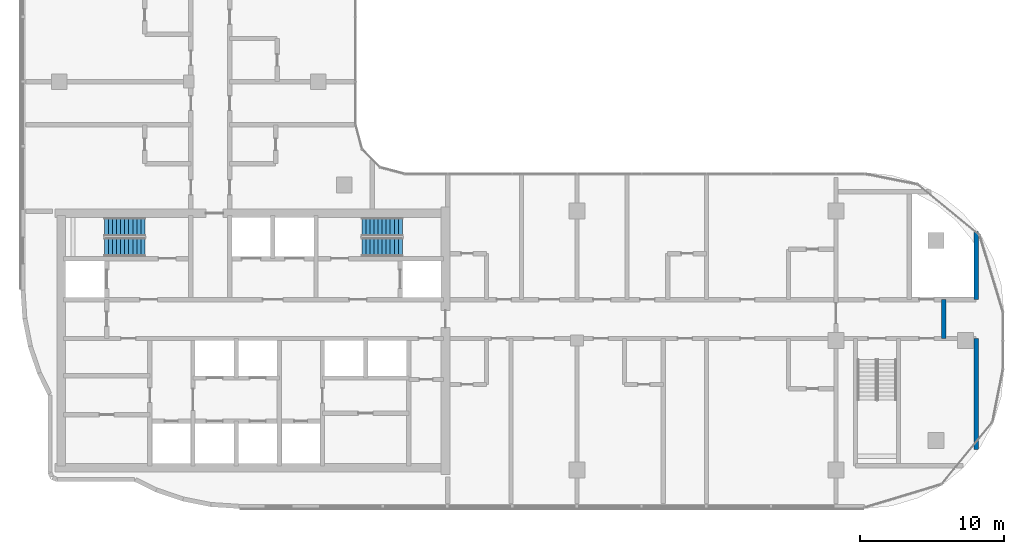
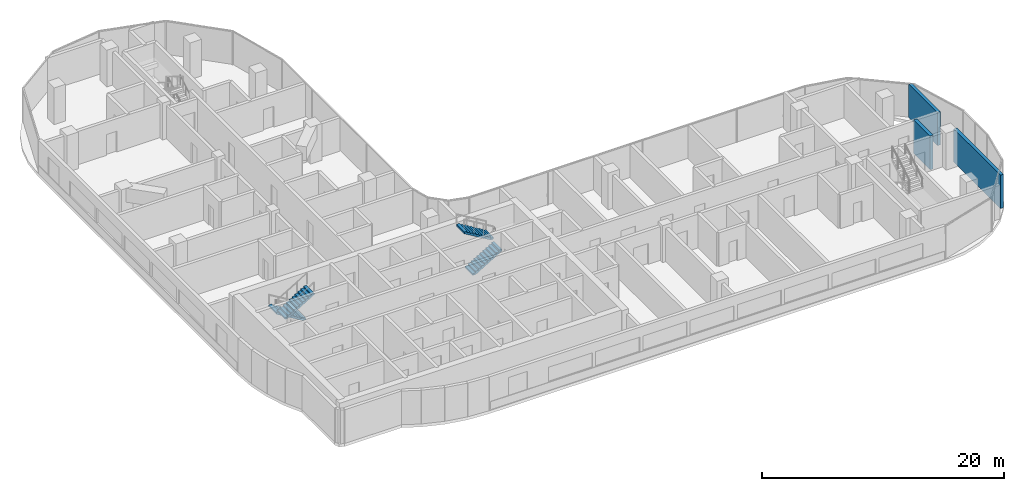
# One storey, part 15 of 23: 4 stair flights, 3 walls, 2 elements without a shape of their own.
"""IFC4 building model written with IfcOpenShell, lengths in metres."""

from ifc_helpers import new_model, si_unit, direction, frame, frame_2d, origin, place, context, subcontext, project, spatial, rectangle, extrude, triangles, source, transform, mapped, material, layer, layer_set, type_object, element, aggregate, save


model = new_model("IFC4")

# Units and contexts
model_context = context("Model", 3, precision=1e-05, world=origin(), true_north=direction((0.0, 1.0)))
body_context = subcontext(model_context, "Body", "Model", "MODEL_VIEW")
ifc_project = project(units=[si_unit("LENGTHUNIT", "METRE"), si_unit("AREAUNIT", "SQUARE_METRE"), si_unit("VOLUMEUNIT", "CUBIC_METRE"), si_unit("PLANEANGLEUNIT", "RADIAN"), si_unit("MASSUNIT", "GRAM", prefix="KILO")], contexts=[model_context])

# Site, building, storey
site_placement = place(None, origin())
site = spatial("IfcSite", under=ifc_project, at=site_placement, CompositionType="ELEMENT")
building_placement = place(site_placement, origin())
building = spatial("IfcBuilding", under=site, at=building_placement, Name="Ogive Portal Towers", CompositionType="ELEMENT")
storey_placement = place(building_placement, frame((0.0, 0.0, 186.60009765625)))
storey = spatial("IfcBuildingStorey", under=building, at=storey_placement, Name="L46", CompositionType="ELEMENT", Elevation=186.60009765625)

# Walls
ifc_material_1 = material(Name="Gypsum board partition on steel studs", Category="steel")
ifc_layer_1 = layer(ifc_material_1, 0.300048828125)
ifc_layer_set_1 = layer_set([ifc_layer_1], Name="WT-PART-300-EI 120")
wall_type_1 = type_object("IfcWallType", Name="WT-PART-300-EI 120", PredefinedType="PARTITIONING", material=ifc_layer_set_1)
wall_1_placement = place(storey_placement, frame((93.0, 30.64990234375, 0.0), z_axis=(0.0, 0.0, 1.0), x_axis=(0.0, 1.0, 0.0)))
element("IfcWall", 1, at=wall_1_placement, inside=storey, type_object=wall_type_1, Name="Wall L46:w066", PredefinedType="PARTITIONING", context=body_context, shape_type="SweptSolid", body=[
    extrude(rectangle(XDim=2.7001953125, YDim=0.300048828125, at=frame_2d((1.35009765625, 0.0))), origin(), (0.0, 0.0, 1.0), 3.39990234375),
])
ifc_layer_2 = layer(ifc_material_1, 0.300048828125)
ifc_layer_set_2 = layer_set([ifc_layer_2], Name="WT-PART-300-EI 60")
wall_type_2 = type_object("IfcWallType", Name="WT-PART-300-EI 60", PredefinedType="PARTITIONING", material=ifc_layer_set_2)
wall_2_placement = place(storey_placement, frame((95.25, 22.926025390625, 0.0), z_axis=(0.0, 0.0, 1.0), x_axis=(0.0, 1.0, 0.0)))
element("IfcWall", 2, at=wall_2_placement, inside=storey, type_object=wall_type_2, Name="Wall L46:w067", PredefinedType="PARTITIONING", context=body_context, shape_type="SweptSolid", body=[
    extrude(rectangle(XDim=7.723876953125, YDim=0.300048828125, at=frame_2d((3.86181640625, 0.0))), origin(), (0.0, 0.0, 1.0), 3.349853515625),
])
wall_3_placement = place(storey_placement, frame((95.25, 33.35009765625, 0.0), z_axis=(0.0, 0.0, 1.0), x_axis=(0.0, 1.0, 0.0)))
element("IfcWall", 3, at=wall_3_placement, inside=storey, type_object=wall_type_2, Name="Wall L46:w068", PredefinedType="PARTITIONING", context=body_context, shape_type="SweptSolid", body=[
    extrude(rectangle(XDim=4.723876953125, YDim=0.300048828125, at=frame_2d((2.36181640625, 0.0))), origin(), (0.0, 0.0, 1.0), 3.349853515625),
])

# Stair, stair flights
ifc_material_2 = material(Name="Concrete C40/50", Category="concrete")
stair_type = type_object("IfcStairType", Name="INT-STAIR", PredefinedType="HALF_TURN_STAIR", material=ifc_material_2)
stair_1_placement = place(storey_placement, origin())
stair_1 = element("IfcStair", 4, at=stair_1_placement, inside=storey, type_object=stair_type, Name="L46 Exit Stair ST-A1", PredefinedType="HALF_TURN_STAIR")
stair_flight_type = type_object("IfcStairFlightType", Name="INT-FLIGHT", PredefinedType="STRAIGHT", material=ifc_material_2)
shared_shape = source(origin(), body_context, "Body", "Tessellation", [
    triangles([(0.0, -0.650146484375, 0.0), (0.0, -0.376220703125, 0.0), (0.0, -0.192626953125, 0.0), (0.0, -0.081298828125, 0.0), (0.0, -0.024169921875, 0.0), (0.0, -0.003173828125, 0.0), (0.0, 0.0, 0.0), (0.0, 0.0029296875, 0.0), (0.0, 0.02392578125, 0.0), (0.0, 0.0810546875, 0.0), (0.0, 0.1923828125, 0.0), (0.0, 0.3759765625, 0.0), (0.0, 0.64990234375, 0.0), (0.0, -0.650146484375, 0.168212890625), (0.0, -0.376220703125, 0.168212890625), (0.0, -0.192626953125, 0.168212890625), (0.0, -0.081298828125, 0.168212890625), (0.0, -0.024169921875, 0.168212890625), (0.0, -0.003173828125, 0.168212890625), (0.0, 0.0, 0.168212890625), (0.0, 0.0029296875, 0.168212890625), (0.0, 0.02392578125, 0.168212890625), (0.0, 0.0810546875, 0.168212890625), (0.0, 0.1923828125, 0.168212890625), (0.0, 0.3759765625, 0.168212890625), (0.0, 0.64990234375, 0.168212890625), (0.280029296875, -0.650146484375, 0.168212890625), (0.280029296875, -0.376220703125, 0.168212890625), (0.280029296875, -0.192626953125, 0.168212890625), (0.280029296875, -0.081298828125, 0.168212890625), (0.280029296875, -0.024169921875, 0.168212890625), (0.280029296875, -0.003173828125, 0.168212890625), (0.280029296875, 0.0, 0.168212890625), (0.280029296875, 0.0029296875, 0.168212890625), (0.280029296875, 0.02392578125, 0.168212890625), (0.280029296875, 0.0810546875, 0.168212890625), (0.280029296875, 0.1923828125, 0.168212890625), (0.280029296875, 0.3759765625, 0.168212890625), (0.280029296875, 0.64990234375, 0.168212890625), (0.280029296875, -0.650146484375, 0.33642578125), (0.280029296875, -0.376220703125, 0.33642578125), (0.280029296875, -0.192626953125, 0.33642578125), (0.280029296875, -0.081298828125, 0.33642578125), (0.280029296875, -0.024169921875, 0.33642578125), (0.280029296875, -0.003173828125, 0.33642578125), (0.280029296875, 0.0, 0.33642578125), (0.280029296875, 0.0029296875, 0.33642578125), (0.280029296875, 0.02392578125, 0.33642578125), (0.280029296875, 0.0810546875, 0.33642578125), (0.280029296875, 0.1923828125, 0.33642578125), (0.280029296875, 0.3759765625, 0.33642578125), (0.280029296875, 0.64990234375, 0.33642578125), (0.56005859375, -0.650146484375, 0.33642578125), (0.56005859375, -0.376220703125, 0.33642578125), (0.56005859375, -0.192626953125, 0.33642578125), (0.56005859375, -0.081298828125, 0.33642578125), (0.56005859375, -0.024169921875, 0.33642578125), (0.56005859375, -0.003173828125, 0.33642578125), (0.56005859375, 0.0, 0.33642578125), (0.56005859375, 0.0029296875, 0.33642578125), (0.56005859375, 0.02392578125, 0.33642578125), (0.56005859375, 0.0810546875, 0.33642578125), (0.56005859375, 0.1923828125, 0.33642578125), (0.56005859375, 0.3759765625, 0.33642578125), (0.56005859375, 0.64990234375, 0.33642578125), (0.56005859375, -0.650146484375, 0.504638671875), (0.56005859375, -0.376220703125, 0.504638671875), (0.56005859375, -0.192626953125, 0.504638671875), (0.56005859375, -0.081298828125, 0.504638671875), (0.56005859375, -0.024169921875, 0.504638671875), (0.56005859375, -0.003173828125, 0.504638671875), (0.56005859375, 0.0, 0.504638671875), (0.56005859375, 0.0029296875, 0.504638671875), (0.56005859375, 0.02392578125, 0.504638671875), (0.56005859375, 0.0810546875, 0.504638671875), (0.56005859375, 0.1923828125, 0.504638671875), (0.56005859375, 0.3759765625, 0.504638671875), (0.56005859375, 0.64990234375, 0.504638671875), (0.840087890625, -0.650146484375, 0.504638671875), (0.840087890625, -0.376220703125, 0.504638671875), (0.840087890625, -0.192626953125, 0.504638671875), (0.840087890625, -0.081298828125, 0.504638671875), (0.840087890625, -0.024169921875, 0.504638671875), (0.840087890625, -0.003173828125, 0.504638671875), (0.840087890625, 0.0, 0.504638671875), (0.840087890625, 0.0029296875, 0.504638671875), (0.840087890625, 0.02392578125, 0.504638671875), (0.840087890625, 0.0810546875, 0.504638671875), (0.840087890625, 0.1923828125, 0.504638671875), (0.840087890625, 0.3759765625, 0.504638671875), (0.840087890625, 0.64990234375, 0.504638671875), (0.840087890625, -0.650146484375, 0.672607421875), (0.840087890625, -0.376220703125, 0.672607421875), (0.840087890625, -0.192626953125, 0.672607421875), (0.840087890625, -0.081298828125, 0.672607421875), (0.840087890625, -0.024169921875, 0.672607421875), (0.840087890625, -0.003173828125, 0.672607421875), (0.840087890625, 0.0, 0.672607421875), (0.840087890625, 0.0029296875, 0.672607421875), (0.840087890625, 0.02392578125, 0.672607421875), (0.840087890625, 0.0810546875, 0.672607421875), (0.840087890625, 0.1923828125, 0.672607421875), (0.840087890625, 0.3759765625, 0.672607421875), (0.840087890625, 0.64990234375, 0.672607421875), (1.1201171875, -0.650146484375, 0.672607421875), (1.1201171875, -0.376220703125, 0.672607421875), (1.1201171875, -0.192626953125, 0.672607421875), (1.1201171875, -0.081298828125, 0.672607421875), (1.1201171875, -0.024169921875, 0.672607421875), (1.1201171875, -0.003173828125, 0.672607421875), (1.1201171875, 0.0, 0.672607421875), (1.1201171875, 0.0029296875, 0.672607421875), (1.1201171875, 0.02392578125, 0.672607421875), (1.1201171875, 0.0810546875, 0.672607421875), (1.1201171875, 0.1923828125, 0.672607421875), (1.1201171875, 0.3759765625, 0.672607421875), (1.1201171875, 0.64990234375, 0.672607421875), (1.1201171875, -0.650146484375, 0.8408203125), (1.1201171875, -0.376220703125, 0.8408203125), (1.1201171875, -0.192626953125, 0.8408203125), (1.1201171875, -0.081298828125, 0.8408203125), (1.1201171875, -0.024169921875, 0.8408203125), (1.1201171875, -0.003173828125, 0.8408203125), (1.1201171875, 0.0, 0.8408203125), (1.1201171875, 0.0029296875, 0.8408203125), (1.1201171875, 0.02392578125, 0.8408203125), (1.1201171875, 0.0810546875, 0.8408203125), (1.1201171875, 0.1923828125, 0.8408203125), (1.1201171875, 0.3759765625, 0.8408203125), (1.1201171875, 0.64990234375, 0.8408203125), (1.39990234375, -0.650146484375, 0.8408203125), (1.39990234375, -0.376220703125, 0.8408203125), (1.39990234375, -0.192626953125, 0.8408203125), (1.39990234375, -0.081298828125, 0.8408203125), (1.39990234375, -0.024169921875, 0.8408203125), (1.39990234375, -0.003173828125, 0.8408203125), (1.39990234375, 0.0, 0.8408203125), (1.39990234375, 0.0029296875, 0.8408203125), (1.39990234375, 0.02392578125, 0.8408203125), (1.39990234375, 0.0810546875, 0.8408203125), (1.39990234375, 0.1923828125, 0.8408203125), (1.39990234375, 0.3759765625, 0.8408203125), (1.39990234375, 0.64990234375, 0.8408203125), (1.39990234375, -0.650146484375, 1.009033203125), (1.39990234375, -0.376220703125, 1.009033203125), (1.39990234375, -0.192626953125, 1.009033203125), (1.39990234375, -0.081298828125, 1.009033203125), (1.39990234375, -0.024169921875, 1.009033203125), (1.39990234375, -0.003173828125, 1.009033203125), (1.39990234375, 0.0, 1.009033203125), (1.39990234375, 0.0029296875, 1.009033203125), (1.39990234375, 0.02392578125, 1.009033203125), (1.39990234375, 0.0810546875, 1.009033203125), (1.39990234375, 0.1923828125, 1.009033203125), (1.39990234375, 0.3759765625, 1.009033203125), (1.39990234375, 0.64990234375, 1.009033203125), (1.679931640625, -0.650146484375, 1.009033203125), (1.679931640625, -0.376220703125, 1.009033203125), (1.679931640625, -0.192626953125, 1.009033203125), (1.679931640625, -0.081298828125, 1.009033203125), (1.679931640625, -0.024169921875, 1.009033203125), (1.679931640625, -0.003173828125, 1.009033203125), (1.679931640625, 0.0, 1.009033203125), (1.679931640625, 0.0029296875, 1.009033203125), (1.679931640625, 0.02392578125, 1.009033203125), (1.679931640625, 0.0810546875, 1.009033203125), (1.679931640625, 0.1923828125, 1.009033203125), (1.679931640625, 0.3759765625, 1.009033203125), (1.679931640625, 0.64990234375, 1.009033203125), (1.679931640625, -0.650146484375, 1.17724609375), (1.679931640625, -0.376220703125, 1.17724609375), (1.679931640625, -0.192626953125, 1.17724609375), (1.679931640625, -0.081298828125, 1.17724609375), (1.679931640625, -0.024169921875, 1.17724609375), (1.679931640625, -0.003173828125, 1.17724609375), (1.679931640625, 0.0, 1.17724609375), (1.679931640625, 0.0029296875, 1.17724609375), (1.679931640625, 0.02392578125, 1.17724609375), (1.679931640625, 0.0810546875, 1.17724609375), (1.679931640625, 0.1923828125, 1.17724609375), (1.679931640625, 0.3759765625, 1.17724609375), (1.679931640625, 0.64990234375, 1.17724609375), (1.9599609375, -0.650146484375, 1.17724609375), (1.9599609375, -0.376220703125, 1.17724609375), (1.9599609375, -0.192626953125, 1.17724609375), (1.9599609375, -0.081298828125, 1.17724609375), (1.9599609375, -0.024169921875, 1.17724609375), (1.9599609375, -0.003173828125, 1.17724609375), (1.9599609375, 0.0, 1.17724609375), (1.9599609375, 0.0029296875, 1.17724609375), (1.9599609375, 0.02392578125, 1.17724609375), (1.9599609375, 0.0810546875, 1.17724609375), (1.9599609375, 0.1923828125, 1.17724609375), (1.9599609375, 0.3759765625, 1.17724609375), (1.9599609375, 0.64990234375, 1.17724609375), (1.9599609375, -0.650146484375, 1.345458984375), (1.9599609375, -0.376220703125, 1.345458984375), (1.9599609375, -0.192626953125, 1.345458984375), (1.9599609375, -0.081298828125, 1.345458984375), (1.9599609375, -0.024169921875, 1.345458984375), (1.9599609375, -0.003173828125, 1.345458984375), (1.9599609375, 0.0, 1.345458984375), (1.9599609375, 0.0029296875, 1.345458984375), (1.9599609375, 0.02392578125, 1.345458984375), (1.9599609375, 0.0810546875, 1.345458984375), (1.9599609375, 0.1923828125, 1.345458984375), (1.9599609375, 0.3759765625, 1.345458984375), (1.9599609375, 0.64990234375, 1.345458984375), (2.239990234375, -0.650146484375, 1.345458984375), (2.239990234375, -0.376220703125, 1.345458984375), (2.239990234375, -0.192626953125, 1.345458984375), (2.239990234375, -0.081298828125, 1.345458984375), (2.239990234375, -0.024169921875, 1.345458984375), (2.239990234375, -0.003173828125, 1.345458984375), (2.239990234375, 0.0, 1.345458984375), (2.239990234375, 0.0029296875, 1.345458984375), (2.239990234375, 0.02392578125, 1.345458984375), (2.239990234375, 0.0810546875, 1.345458984375), (2.239990234375, 0.1923828125, 1.345458984375), (2.239990234375, 0.3759765625, 1.345458984375), (2.239990234375, 0.64990234375, 1.345458984375), (2.239990234375, -0.650146484375, 1.513671875), (2.239990234375, -0.376220703125, 1.513671875), (2.239990234375, -0.192626953125, 1.513671875), (2.239990234375, -0.081298828125, 1.513671875), (2.239990234375, -0.024169921875, 1.513671875), (2.239990234375, -0.003173828125, 1.513671875), (2.239990234375, 0.0, 1.513671875), (2.239990234375, 0.0029296875, 1.513671875), (2.239990234375, 0.02392578125, 1.513671875), (2.239990234375, 0.0810546875, 1.513671875), (2.239990234375, 0.1923828125, 1.513671875), (2.239990234375, 0.3759765625, 1.513671875), (2.239990234375, 0.64990234375, 1.513671875), (2.52001953125, -0.650146484375, 1.513671875), (2.52001953125, -0.376220703125, 1.513671875), (2.52001953125, -0.192626953125, 1.513671875), (2.52001953125, -0.081298828125, 1.513671875), (2.52001953125, -0.024169921875, 1.513671875), (2.52001953125, -0.003173828125, 1.513671875), (2.52001953125, 0.0, 1.513671875), (2.52001953125, 0.0029296875, 1.513671875), (2.52001953125, 0.02392578125, 1.513671875), (2.52001953125, 0.0810546875, 1.513671875), (2.52001953125, 0.1923828125, 1.513671875), (2.52001953125, 0.3759765625, 1.513671875), (2.52001953125, 0.64990234375, 1.513671875), (2.52001953125, -0.650146484375, 1.681884765625), (2.52001953125, -0.376220703125, 1.681884765625), (2.52001953125, -0.192626953125, 1.681884765625), (2.52001953125, -0.081298828125, 1.681884765625), (2.52001953125, -0.024169921875, 1.681884765625), (2.52001953125, -0.003173828125, 1.681884765625), (2.52001953125, 0.0, 1.681884765625), (2.52001953125, 0.0029296875, 1.681884765625), (2.52001953125, 0.02392578125, 1.681884765625), (2.52001953125, 0.0810546875, 1.681884765625), (2.52001953125, 0.1923828125, 1.681884765625), (2.52001953125, 0.3759765625, 1.681884765625), (2.52001953125, 0.64990234375, 1.681884765625), (2.800048828125, -0.650146484375, 1.681884765625), (2.800048828125, -0.376220703125, 1.681884765625), (2.800048828125, -0.192626953125, 1.681884765625), (2.800048828125, -0.081298828125, 1.681884765625), (2.800048828125, -0.024169921875, 1.681884765625), (2.800048828125, -0.003173828125, 1.681884765625), (2.800048828125, 0.0, 1.681884765625), (2.800048828125, 0.0029296875, 1.681884765625), (2.800048828125, 0.02392578125, 1.681884765625), (2.800048828125, 0.0810546875, 1.681884765625), (2.800048828125, 0.1923828125, 1.681884765625), (2.800048828125, 0.3759765625, 1.681884765625), (2.800048828125, 0.64990234375, 1.681884765625), (2.800048828125, -0.650146484375, 1.5068359375), (2.800048828125, -0.376220703125, 1.5068359375), (2.800048828125, -0.192626953125, 1.5068359375), (2.800048828125, -0.081298828125, 1.5068359375), (2.800048828125, -0.024169921875, 1.5068359375), (2.800048828125, -0.003173828125, 1.5068359375), (2.800048828125, 0.0, 1.5068359375), (2.800048828125, 0.0029296875, 1.5068359375), (2.800048828125, 0.02392578125, 1.5068359375), (2.800048828125, 0.0810546875, 1.5068359375), (2.800048828125, 0.1923828125, 1.5068359375), (2.800048828125, 0.3759765625, 1.5068359375), (2.800048828125, 0.64990234375, 1.5068359375), (0.291015625, -0.650146484375, 0.0), (0.291015625, -0.376220703125, 0.0), (0.291015625, -0.192626953125, 0.0), (0.291015625, -0.081298828125, 0.0), (0.291015625, -0.024169921875, 0.0), (0.291015625, -0.003173828125, 0.0), (0.291015625, 0.0, 0.0), (0.291015625, 0.0029296875, 0.0), (0.291015625, 0.02392578125, 0.0), (0.291015625, 0.0810546875, 0.0), (0.291015625, 0.1923828125, 0.0), (0.291015625, 0.3759765625, 0.0), (0.291015625, 0.64990234375, 0.0)], [[1, 14, 15], [1, 15, 2], [2, 15, 16], [2, 16, 3], [3, 16, 17], [3, 17, 4], [4, 17, 18], [4, 18, 5], [5, 18, 19], [5, 19, 6], [6, 19, 20], [6, 20, 7], [7, 20, 21], [7, 21, 8], [8, 21, 22], [8, 22, 9], [9, 22, 23], [9, 23, 10], [10, 23, 24], [10, 24, 11], [11, 24, 25], [11, 25, 12], [12, 25, 26], [12, 26, 13], [14, 27, 28], [14, 28, 15], [15, 28, 29], [15, 29, 16], [16, 29, 30], [16, 30, 17], [17, 30, 31], [17, 31, 18], [18, 31, 32], [18, 32, 19], [19, 32, 33], [19, 33, 20], [20, 33, 34], [20, 34, 21], [21, 34, 35], [21, 35, 22], [22, 35, 36], [22, 36, 23], [23, 36, 37], [23, 37, 24], [24, 37, 38], [24, 38, 25], [25, 38, 39], [25, 39, 26], [27, 40, 41], [27, 41, 28], [28, 41, 42], [28, 42, 29], [29, 42, 43], [29, 43, 30], [30, 43, 44], [30, 44, 31], [31, 44, 45], [31, 45, 32], [32, 45, 46], [32, 46, 33], [33, 46, 47], [33, 47, 34], [34, 47, 48], [34, 48, 35], [35, 48, 49], [35, 49, 36], [36, 49, 50], [36, 50, 37], [37, 50, 51], [37, 51, 38], [38, 51, 52], [38, 52, 39], [40, 53, 54], [40, 54, 41], [41, 54, 55], [41, 55, 42], [42, 55, 56], [42, 56, 43], [43, 56, 57], [43, 57, 44], [44, 57, 58], [44, 58, 45], [45, 58, 59], [45, 59, 46], [46, 59, 60], [46, 60, 47], [47, 60, 61], [47, 61, 48], [48, 61, 62], [48, 62, 49], [49, 62, 63], [49, 63, 50], [50, 63, 64], [50, 64, 51], [51, 64, 65], [51, 65, 52], [53, 66, 67], [53, 67, 54], [54, 67, 68], [54, 68, 55], [55, 68, 69], [55, 69, 56], [56, 69, 70], [56, 70, 57], [57, 70, 71], [57, 71, 58], [58, 71, 72], [58, 72, 59], [59, 72, 73], [59, 73, 60], [60, 73, 74], [60, 74, 61], [61, 74, 75], [61, 75, 62], [62, 75, 76], [62, 76, 63], [63, 76, 77], [63, 77, 64], [64, 77, 78], [64, 78, 65], [66, 79, 80], [66, 80, 67], [67, 80, 81], [67, 81, 68], [68, 81, 82], [68, 82, 69], [69, 82, 83], [69, 83, 70], [70, 83, 84], [70, 84, 71], [71, 84, 85], [71, 85, 72], [72, 85, 86], [72, 86, 73], [73, 86, 87], [73, 87, 74], [74, 87, 88], [74, 88, 75], [75, 88, 89], [75, 89, 76], [76, 89, 90], [76, 90, 77], [77, 90, 91], [77, 91, 78], [79, 92, 93], [79, 93, 80], [80, 93, 94], [80, 94, 81], [81, 94, 95], [81, 95, 82], [82, 95, 96], [82, 96, 83], [83, 96, 97], [83, 97, 84], [84, 97, 98], [84, 98, 85], [85, 98, 99], [85, 99, 86], [86, 99, 100], [86, 100, 87], [87, 100, 101], [87, 101, 88], [88, 101, 102], [88, 102, 89], [89, 102, 103], [89, 103, 90], [90, 103, 104], [90, 104, 91], [92, 105, 106], [92, 106, 93], [93, 106, 107], [93, 107, 94], [94, 107, 108], [94, 108, 95], [95, 108, 109], [95, 109, 96], [96, 109, 110], [96, 110, 97], [97, 110, 111], [97, 111, 98], [98, 111, 112], [98, 112, 99], [99, 112, 113], [99, 113, 100], [100, 113, 114], [100, 114, 101], [101, 114, 115], [101, 115, 102], [102, 115, 116], [102, 116, 103], [103, 116, 117], [103, 117, 104], [105, 118, 119], [105, 119, 106], [106, 119, 120], [106, 120, 107], [107, 120, 121], [107, 121, 108], [108, 121, 122], [108, 122, 109], [109, 122, 123], [109, 123, 110], [110, 123, 124], [110, 124, 111], [111, 124, 125], [111, 125, 112], [112, 125, 126], [112, 126, 113], [113, 126, 127], [113, 127, 114], [114, 127, 128], [114, 128, 115], [115, 128, 129], [115, 129, 116], [116, 129, 130], [116, 130, 117], [118, 131, 132], [118, 132, 119], [119, 132, 133], [119, 133, 120], [120, 133, 134], [120, 134, 121], [121, 134, 135], [121, 135, 122], [122, 135, 136], [122, 136, 123], [123, 136, 137], [123, 137, 124], [124, 137, 138], [124, 138, 125], [125, 138, 139], [125, 139, 126], [126, 139, 140], [126, 140, 127], [127, 140, 141], [127, 141, 128], [128, 141, 142], [128, 142, 129], [129, 142, 143], [129, 143, 130], [131, 144, 145], [131, 145, 132], [132, 145, 146], [132, 146, 133], [133, 146, 147], [133, 147, 134], [134, 147, 148], [134, 148, 135], [135, 148, 149], [135, 149, 136], [136, 149, 150], [136, 150, 137], [137, 150, 151], [137, 151, 138], [138, 151, 152], [138, 152, 139], [139, 152, 153], [139, 153, 140], [140, 153, 154], [140, 154, 141], [141, 154, 155], [141, 155, 142], [142, 155, 156], [142, 156, 143], [144, 157, 158], [144, 158, 145], [145, 158, 159], [145, 159, 146], [146, 159, 160], [146, 160, 147], [147, 160, 161], [147, 161, 148], [148, 161, 162], [148, 162, 149], [149, 162, 163], [149, 163, 150], [150, 163, 164], [150, 164, 151], [151, 164, 165], [151, 165, 152], [152, 165, 166], [152, 166, 153], [153, 166, 167], [153, 167, 154], [154, 167, 168], [154, 168, 155], [155, 168, 169], [155, 169, 156], [157, 170, 171], [157, 171, 158], [158, 171, 172], [158, 172, 159], [159, 172, 173], [159, 173, 160], [160, 173, 174], [160, 174, 161], [161, 174, 175], [161, 175, 162], [162, 175, 176], [162, 176, 163], [163, 176, 177], [163, 177, 164], [164, 177, 178], [164, 178, 165], [165, 178, 179], [165, 179, 166], [166, 179, 180], [166, 180, 167], [167, 180, 181], [167, 181, 168], [168, 181, 182], [168, 182, 169], [170, 183, 184], [170, 184, 171], [171, 184, 185], [171, 185, 172], [172, 185, 186], [172, 186, 173], [173, 186, 187], [173, 187, 174], [174, 187, 188], [174, 188, 175], [175, 188, 189], [175, 189, 176], [176, 189, 190], [176, 190, 177], [177, 190, 191], [177, 191, 178], [178, 191, 192], [178, 192, 179], [179, 192, 193], [179, 193, 180], [180, 193, 194], [180, 194, 181], [181, 194, 195], [181, 195, 182], [183, 196, 197], [183, 197, 184], [184, 197, 198], [184, 198, 185], [185, 198, 199], [185, 199, 186], [186, 199, 200], [186, 200, 187], [187, 200, 201], [187, 201, 188], [188, 201, 202], [188, 202, 189], [189, 202, 203], [189, 203, 190], [190, 203, 204], [190, 204, 191], [191, 204, 205], [191, 205, 192], [192, 205, 206], [192, 206, 193], [193, 206, 207], [193, 207, 194], [194, 207, 208], [194, 208, 195], [196, 209, 210], [196, 210, 197], [197, 210, 211], [197, 211, 198], [198, 211, 212], [198, 212, 199], [199, 212, 213], [199, 213, 200], [200, 213, 214], [200, 214, 201], [201, 214, 215], [201, 215, 202], [202, 215, 216], [202, 216, 203], [203, 216, 217], [203, 217, 204], [204, 217, 218], [204, 218, 205], [205, 218, 219], [205, 219, 206], [206, 219, 220], [206, 220, 207], [207, 220, 221], [207, 221, 208], [209, 222, 223], [209, 223, 210], [210, 223, 224], [210, 224, 211], [211, 224, 225], [211, 225, 212], [212, 225, 226], [212, 226, 213], [213, 226, 227], [213, 227, 214], [214, 227, 228], [214, 228, 215], [215, 228, 229], [215, 229, 216], [216, 229, 230], [216, 230, 217], [217, 230, 231], [217, 231, 218], [218, 231, 232], [218, 232, 219], [219, 232, 233], [219, 233, 220], [220, 233, 234], [220, 234, 221], [222, 235, 236], [222, 236, 223], [223, 236, 237], [223, 237, 224], [224, 237, 238], [224, 238, 225], [225, 238, 239], [225, 239, 226], [226, 239, 240], [226, 240, 227], [227, 240, 241], [227, 241, 228], [228, 241, 242], [228, 242, 229], [229, 242, 243], [229, 243, 230], [230, 243, 244], [230, 244, 231], [231, 244, 245], [231, 245, 232], [232, 245, 246], [232, 246, 233], [233, 246, 247], [233, 247, 234], [235, 248, 249], [235, 249, 236], [236, 249, 250], [236, 250, 237], [237, 250, 251], [237, 251, 238], [238, 251, 252], [238, 252, 239], [239, 252, 253], [239, 253, 240], [240, 253, 254], [240, 254, 241], [241, 254, 255], [241, 255, 242], [242, 255, 256], [242, 256, 243], [243, 256, 257], [243, 257, 244], [244, 257, 258], [244, 258, 245], [245, 258, 259], [245, 259, 246], [246, 259, 260], [246, 260, 247], [248, 261, 262], [248, 262, 249], [249, 262, 263], [249, 263, 250], [250, 263, 264], [250, 264, 251], [251, 264, 265], [251, 265, 252], [252, 265, 266], [252, 266, 253], [253, 266, 267], [253, 267, 254], [254, 267, 268], [254, 268, 255], [255, 268, 269], [255, 269, 256], [256, 269, 270], [256, 270, 257], [257, 270, 271], [257, 271, 258], [258, 271, 272], [258, 272, 259], [259, 272, 273], [259, 273, 260], [261, 274, 275], [261, 275, 262], [262, 275, 276], [262, 276, 263], [263, 276, 277], [263, 277, 264], [264, 277, 278], [264, 278, 265], [265, 278, 279], [265, 279, 266], [266, 279, 280], [266, 280, 267], [267, 280, 281], [267, 281, 268], [268, 281, 282], [268, 282, 269], [269, 282, 283], [269, 283, 270], [270, 283, 284], [270, 284, 271], [271, 284, 285], [271, 285, 272], [272, 285, 286], [272, 286, 273], [274, 287, 288], [274, 288, 275], [275, 288, 289], [275, 289, 276], [276, 289, 290], [276, 290, 277], [277, 290, 291], [277, 291, 278], [278, 291, 292], [278, 292, 279], [279, 292, 293], [279, 293, 280], [280, 293, 294], [280, 294, 281], [281, 294, 295], [281, 295, 282], [282, 295, 296], [282, 296, 283], [283, 296, 297], [283, 297, 284], [284, 297, 298], [284, 298, 285], [285, 298, 299], [285, 299, 286], [287, 1, 2], [287, 2, 288], [288, 2, 3], [288, 3, 289], [289, 3, 4], [289, 4, 290], [290, 4, 5], [290, 5, 291], [291, 5, 6], [291, 6, 292], [292, 6, 7], [292, 7, 293], [293, 7, 8], [293, 8, 294], [294, 8, 9], [294, 9, 295], [295, 9, 10], [295, 10, 296], [296, 10, 11], [296, 11, 297], [297, 11, 12], [297, 12, 298], [298, 12, 13], [298, 13, 299], [1, 287, 274], [13, 286, 299], [274, 261, 248], [286, 260, 273], [274, 248, 235], [286, 247, 260], [274, 235, 222], [286, 234, 247], [274, 222, 209], [286, 221, 234], [209, 196, 183], [221, 195, 208], [274, 209, 183], [286, 195, 221], [183, 170, 157], [195, 169, 182], [274, 183, 157], [286, 169, 195], [157, 144, 131], [169, 143, 156], [274, 157, 131], [286, 143, 169], [131, 118, 105], [143, 117, 130], [274, 131, 105], [286, 117, 143], [1, 274, 105], [13, 117, 286], [105, 92, 79], [117, 91, 104], [79, 66, 53], [91, 65, 78], [105, 79, 53], [117, 65, 91], [53, 40, 27], [65, 39, 52], [105, 53, 27], [117, 39, 65], [1, 105, 27], [13, 39, 117], [27, 14, 1], [39, 13, 26]], closed=True),
])
stair_flight_1_placement = place(storey_placement, frame((37.449951171875, 38.39990234375, 0.0), z_axis=(0.0, 0.0, 1.0), x_axis=(-1.0, 0.0, 0.0)))
stair_flight_1 = element("IfcStairFlight", 5, at=stair_flight_1_placement, type_object=stair_flight_type, Name="ST-A1 flight 1", NumberOfRisers=11, NumberOfTreads=10, PredefinedType="STRAIGHT", RiserHeight=0.168181818, TreadLength=0.28, context=body_context, shape_type="MappedRepresentation", body=[
    mapped(shared_shape, transform((0.0, 0.0, 0.0), scale=1.0)),
])
stair_flight_2_placement = place(storey_placement, frame((34.64990234375, 37.0, 1.849853515625), z_axis=(0.0, 0.0, 1.0), x_axis=(1.0, 0.0, 0.0)))
stair_flight_2 = element("IfcStairFlight", 6, at=stair_flight_2_placement, type_object=stair_flight_type, Name="ST-A1 flight 2", NumberOfRisers=11, NumberOfTreads=10, PredefinedType="STRAIGHT", RiserHeight=0.168181818, TreadLength=0.28, context=body_context, shape_type="MappedRepresentation", body=[
    mapped(shared_shape, transform((0.0, 0.0, 0.0), scale=1.0)),
])
aggregate(stair_1, [stair_flight_1, stair_flight_2])

stair_2_placement = place(storey_placement, origin())
stair_2 = element("IfcStair", 7, at=stair_2_placement, inside=storey, type_object=stair_type, Name="L46 Exit Stair ST-A2", PredefinedType="HALF_TURN_STAIR")
stair_flight_3_placement = place(storey_placement, frame((52.550048828125, 37.0, 0.0), z_axis=(0.0, 0.0, 1.0), x_axis=(1.0, 0.0, 0.0)))
stair_flight_3 = element("IfcStairFlight", 8, at=stair_flight_3_placement, type_object=stair_flight_type, Name="ST-A2 flight 1", NumberOfRisers=11, NumberOfTreads=10, PredefinedType="STRAIGHT", RiserHeight=0.168181818, TreadLength=0.28, context=body_context, shape_type="MappedRepresentation", body=[
    mapped(shared_shape, transform((0.0, 0.0, 0.0), scale=1.0)),
])
stair_flight_4_placement = place(storey_placement, frame((55.35009765625, 38.39990234375, 1.849853515625), z_axis=(0.0, 0.0, 1.0), x_axis=(-1.0, 0.0, 0.0)))
stair_flight_4 = element("IfcStairFlight", 9, at=stair_flight_4_placement, type_object=stair_flight_type, Name="ST-A2 flight 2", NumberOfRisers=11, NumberOfTreads=10, PredefinedType="STRAIGHT", RiserHeight=0.168181818, TreadLength=0.28, context=body_context, shape_type="MappedRepresentation", body=[
    mapped(shared_shape, transform((0.0, 0.0, 0.0), scale=1.0)),
])
aggregate(stair_2, [stair_flight_3, stair_flight_4])

save(model, "model.ifc")
